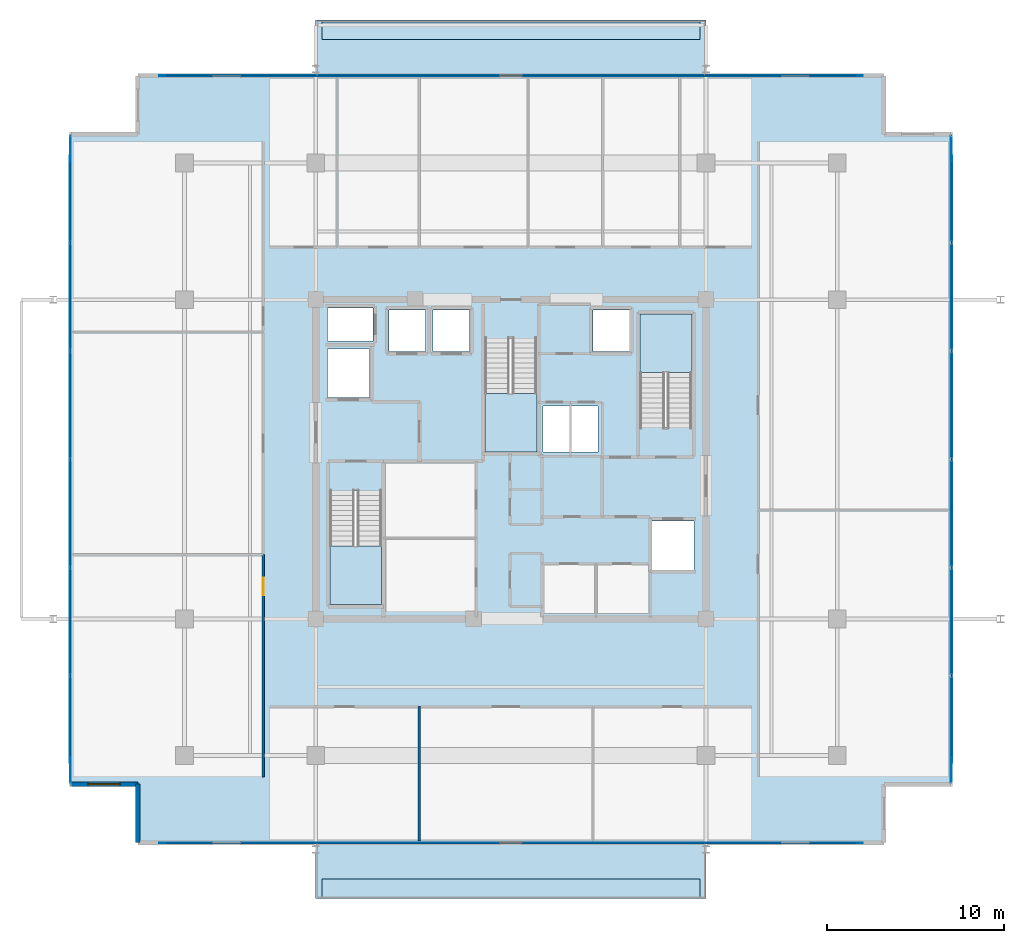
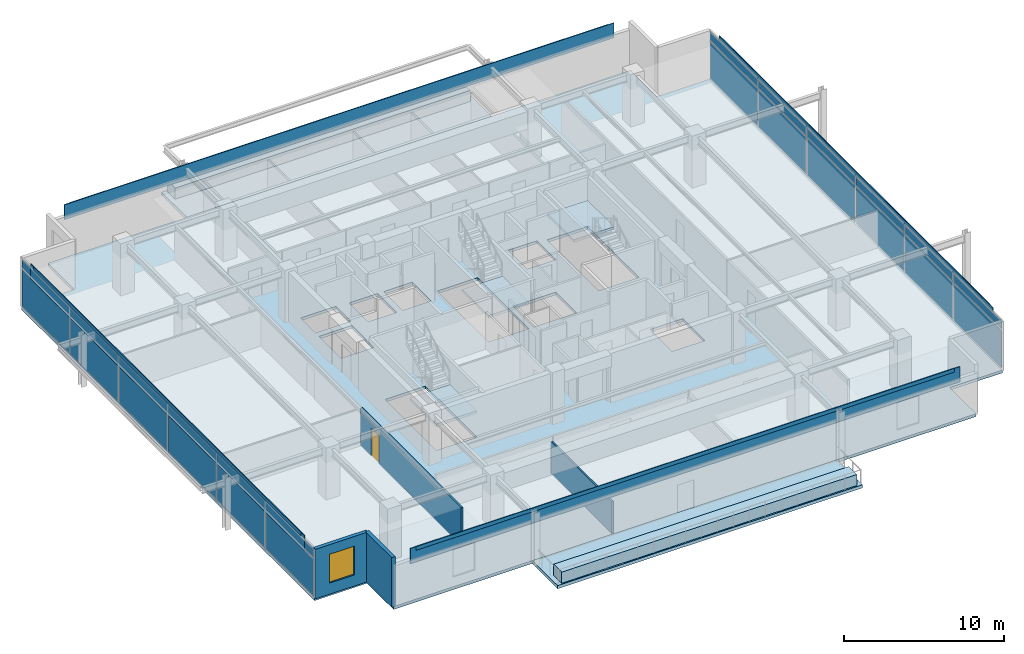
# One storey, part 13 of 21: 32 plates, 8 slabs, 4 walls, 1 door, 1 window, 2 openings, 5 elements without a shape of their own.
"""IFC4 building model written with IfcOpenShell, lengths in metres."""

from ifc_helpers import new_model, si_unit, direction, frame, frame_2d, origin, origin_2d, place, context, subcontext, project, spatial, polyline, rectangle, outline, extrude, material, layer, layer_set, type_object, element, fill, aggregate, save


model = new_model("IFC4")

# Units and contexts
model_context = context("Model", 3, precision=1e-05, world=origin(), true_north=direction((0.0, 1.0)))
body_context = subcontext(model_context, "Body", "Model", "MODEL_VIEW")
ifc_project = project(units=[si_unit("LENGTHUNIT", "METRE"), si_unit("AREAUNIT", "SQUARE_METRE"), si_unit("VOLUMEUNIT", "CUBIC_METRE"), si_unit("PLANEANGLEUNIT", "RADIAN"), si_unit("MASSUNIT", "GRAM", prefix="KILO")], contexts=[model_context])

# Site, building, storey
site_placement = place(None, origin())
site = spatial("IfcSite", under=ifc_project, at=site_placement, CompositionType="ELEMENT")
building_placement = place(site_placement, origin())
building = spatial("IfcBuilding", under=site, at=building_placement, Name="Kovane Verandah Tower", CompositionType="ELEMENT")
storey_placement = place(building_placement, frame((0.0, 0.0, 326.800048828125)))
storey = spatial("IfcBuildingStorey", under=building, at=storey_placement, Name="L76", CompositionType="ELEMENT", Elevation=326.800048828125)

# Curtain wall, plates
ifc_material_1 = material(Name="Champagne Anodised Aluminium Frame with Low-E Clear Laminated Glass", Category="aluminium")
curtain_wall_type = type_object("IfcCurtainWallType", Name="CW-SYS-05-HIGH", PredefinedType="NOTDEFINED", material=ifc_material_1)
curtain_wall_1_placement = place(storey_placement, origin())
curtain_wall_1 = element("IfcCurtainWall", 1, at=curtain_wall_1_placement, inside=storey, type_object=curtain_wall_type, Name="L76 E Unitised Curtain Wall", PredefinedType="NOTDEFINED")
ifc_material_2 = material(Name="Pale Champagne Anodised Aluminium Insulated Spandrel", Category="aluminium")
ifc_layer_1 = layer(ifc_material_2, 0.0400390625)
ifc_layer_set_1 = layer_set([ifc_layer_1], Name="Pale Champagne Anodised Aluminium Insulated Spandrel")
plate_type_1 = type_object("IfcPlateType", Name="PL-CW-SPD-40", PredefinedType="SHEET", material=ifc_layer_set_1)
plate_1_placement = place(storey_placement, frame((64.83154296875, 12.23681640625, 3.05517578125), z_axis=(0.0, 0.0, 1.0), x_axis=(0.0, 1.0, 0.0)))
plate_1 = element("IfcPlate", 2, at=plate_1_placement, type_object=plate_type_1, Name="L76 E Unitised Curtain Wall Spandrel Panel 1", PredefinedType="SHEET", context=body_context, shape_type="SweptSolid", body=[
    extrude(rectangle(XDim=5.965087890625, YDim=0.0400390625, at=origin_2d()), origin(), (0.0, 0.0, 1.0), 0.639892578125),
])
plate_2_placement = place(storey_placement, frame((64.83154296875, 18.34228515625, 3.05517578125), z_axis=(0.0, 0.0, 1.0), x_axis=(0.0, 1.0, 0.0)))
plate_2 = element("IfcPlate", 3, at=plate_2_placement, type_object=plate_type_1, Name="L76 E Unitised Curtain Wall Spandrel Panel 2", PredefinedType="SHEET", context=body_context, shape_type="SweptSolid", body=[
    extrude(rectangle(XDim=5.965087890625, YDim=0.0400390625, at=origin_2d()), origin(), (0.0, 0.0, 1.0), 0.639892578125),
])
plate_3_placement = place(storey_placement, frame((64.83154296875, 24.447509765625, 3.05517578125), z_axis=(0.0, 0.0, 1.0), x_axis=(0.0, 1.0, 0.0)))
plate_3 = element("IfcPlate", 4, at=plate_3_placement, type_object=plate_type_1, Name="L76 E Unitised Curtain Wall Spandrel Panel 3", PredefinedType="SHEET", context=body_context, shape_type="SweptSolid", body=[
    extrude(rectangle(XDim=5.965087890625, YDim=0.0400390625, at=origin_2d()), origin(), (0.0, 0.0, 1.0), 0.639892578125),
])
plate_4_placement = place(storey_placement, frame((64.83154296875, 30.552490234375, 3.05517578125), z_axis=(0.0, 0.0, 1.0), x_axis=(0.0, 1.0, 0.0)))
plate_4 = element("IfcPlate", 5, at=plate_4_placement, type_object=plate_type_1, Name="L76 E Unitised Curtain Wall Spandrel Panel 4", PredefinedType="SHEET", context=body_context, shape_type="SweptSolid", body=[
    extrude(rectangle(XDim=5.965087890625, YDim=0.0400390625, at=origin_2d()), origin(), (0.0, 0.0, 1.0), 0.639892578125),
])
plate_5_placement = place(storey_placement, frame((64.83154296875, 36.65771484375, 3.05517578125), z_axis=(0.0, 0.0, 1.0), x_axis=(0.0, 1.0, 0.0)))
plate_5 = element("IfcPlate", 6, at=plate_5_placement, type_object=plate_type_1, Name="L76 E Unitised Curtain Wall Spandrel Panel 5", PredefinedType="SHEET", context=body_context, shape_type="SweptSolid", body=[
    extrude(rectangle(XDim=5.965087890625, YDim=0.0400390625, at=origin_2d()), origin(), (0.0, 0.0, 1.0), 0.639892578125),
])
plate_6_placement = place(storey_placement, frame((64.83154296875, 42.76318359375, 3.05517578125), z_axis=(0.0, 0.0, 1.0), x_axis=(0.0, 1.0, 0.0)))
plate_6 = element("IfcPlate", 7, at=plate_6_placement, type_object=plate_type_1, Name="L76 E Unitised Curtain Wall Spandrel Panel 6", PredefinedType="SHEET", context=body_context, shape_type="SweptSolid", body=[
    extrude(rectangle(XDim=5.965087890625, YDim=0.0400390625, at=origin_2d()), origin(), (0.0, 0.0, 1.0), 0.639892578125),
])

curtain_wall_2_placement = place(storey_placement, origin())
curtain_wall_2 = element("IfcCurtainWall", 8, at=curtain_wall_2_placement, inside=storey, type_object=curtain_wall_type, Name="L76 W Unitised Curtain Wall", PredefinedType="NOTDEFINED")
plate_7_placement = place(storey_placement, frame((15.16845703125, 42.76318359375, 3.05517578125), z_axis=(0.0, 0.0, 1.0), x_axis=(0.0, -1.0, 0.0)))
plate_7 = element("IfcPlate", 9, at=plate_7_placement, type_object=plate_type_1, Name="L76 W Unitised Curtain Wall Spandrel Panel 1", PredefinedType="SHEET", context=body_context, shape_type="SweptSolid", body=[
    extrude(rectangle(XDim=5.965087890625, YDim=0.0400390625, at=origin_2d()), origin(), (0.0, 0.0, 1.0), 0.639892578125),
])
plate_8_placement = place(storey_placement, frame((15.16845703125, 36.65771484375, 3.05517578125), z_axis=(0.0, 0.0, 1.0), x_axis=(0.0, -1.0, 0.0)))
plate_8 = element("IfcPlate", 10, at=plate_8_placement, type_object=plate_type_1, Name="L76 W Unitised Curtain Wall Spandrel Panel 2", PredefinedType="SHEET", context=body_context, shape_type="SweptSolid", body=[
    extrude(rectangle(XDim=5.965087890625, YDim=0.0400390625, at=origin_2d()), origin(), (0.0, 0.0, 1.0), 0.639892578125),
])
plate_9_placement = place(storey_placement, frame((15.16845703125, 30.552490234375, 3.05517578125), z_axis=(0.0, 0.0, 1.0), x_axis=(0.0, -1.0, 0.0)))
plate_9 = element("IfcPlate", 11, at=plate_9_placement, type_object=plate_type_1, Name="L76 W Unitised Curtain Wall Spandrel Panel 3", PredefinedType="SHEET", context=body_context, shape_type="SweptSolid", body=[
    extrude(rectangle(XDim=5.965087890625, YDim=0.0400390625, at=origin_2d()), origin(), (0.0, 0.0, 1.0), 0.639892578125),
])
plate_10_placement = place(storey_placement, frame((15.16845703125, 24.447509765625, 3.05517578125), z_axis=(0.0, 0.0, 1.0), x_axis=(0.0, -1.0, 0.0)))
plate_10 = element("IfcPlate", 12, at=plate_10_placement, type_object=plate_type_1, Name="L76 W Unitised Curtain Wall Spandrel Panel 4", PredefinedType="SHEET", context=body_context, shape_type="SweptSolid", body=[
    extrude(rectangle(XDim=5.965087890625, YDim=0.0400390625, at=origin_2d()), origin(), (0.0, 0.0, 1.0), 0.639892578125),
])
plate_11_placement = place(storey_placement, frame((15.16845703125, 18.342041015625, 3.05517578125), z_axis=(0.0, 0.0, 1.0), x_axis=(0.0, -1.0, 0.0)))
plate_11 = element("IfcPlate", 13, at=plate_11_placement, type_object=plate_type_1, Name="L76 W Unitised Curtain Wall Spandrel Panel 5", PredefinedType="SHEET", context=body_context, shape_type="SweptSolid", body=[
    extrude(rectangle(XDim=5.965087890625, YDim=0.0400390625, at=origin_2d()), origin(), (0.0, 0.0, 1.0), 0.639892578125),
])
plate_12_placement = place(storey_placement, frame((15.16845703125, 12.23681640625, 3.05517578125), z_axis=(0.0, 0.0, 1.0), x_axis=(0.0, -1.0, 0.0)))
plate_12 = element("IfcPlate", 14, at=plate_12_placement, type_object=plate_type_1, Name="L76 W Unitised Curtain Wall Spandrel Panel 6", PredefinedType="SHEET", context=body_context, shape_type="SweptSolid", body=[
    extrude(rectangle(XDim=5.965087890625, YDim=0.0400390625, at=origin_2d()), origin(), (0.0, 0.0, 1.0), 0.639892578125),
])

# Plate
ifc_material_3 = material(Name="Clear Low-E Laminated Double Glazing", Category="glass")
ifc_layer_2 = layer(ifc_material_3, 0.031982421875)
ifc_layer_set_2 = layer_set([ifc_layer_2], Name="Clear Low-E Laminated Double Glazing")
plate_type_2 = type_object("IfcPlateType", Name="PL-CW-VIS-32", PredefinedType="CURTAIN_PANEL", material=ifc_layer_set_2)
plate_13_placement = place(storey_placement, frame((64.83154296875, 12.23681640625, 0.099853515625), z_axis=(0.0, 0.0, 1.0), x_axis=(0.0, 1.0, 0.0)))
plate_13 = element("IfcPlate", 15, at=plate_13_placement, type_object=plate_type_2, Name="L76 E Unitised Curtain Wall Vision Panel 1", PredefinedType="CURTAIN_PANEL", context=body_context, shape_type="SweptSolid", body=[
    extrude(rectangle(XDim=5.965087890625, YDim=0.031982421875, at=origin_2d()), origin(), (0.0, 0.0, 1.0), 2.85498046875),
])

plate_14_placement = place(storey_placement, frame((64.83154296875, 18.34228515625, 0.099853515625), z_axis=(0.0, 0.0, 1.0), x_axis=(0.0, 1.0, 0.0)))
plate_14 = element("IfcPlate", 16, at=plate_14_placement, type_object=plate_type_2, Name="L76 E Unitised Curtain Wall Vision Panel 2", PredefinedType="CURTAIN_PANEL", context=body_context, shape_type="SweptSolid", body=[
    extrude(rectangle(XDim=5.965087890625, YDim=0.031982421875, at=origin_2d()), origin(), (0.0, 0.0, 1.0), 2.85498046875),
])

plate_15_placement = place(storey_placement, frame((64.83154296875, 24.447509765625, 0.099853515625), z_axis=(0.0, 0.0, 1.0), x_axis=(0.0, 1.0, 0.0)))
plate_15 = element("IfcPlate", 17, at=plate_15_placement, type_object=plate_type_2, Name="L76 E Unitised Curtain Wall Vision Panel 3", PredefinedType="CURTAIN_PANEL", context=body_context, shape_type="SweptSolid", body=[
    extrude(rectangle(XDim=5.965087890625, YDim=0.031982421875, at=origin_2d()), origin(), (0.0, 0.0, 1.0), 2.85498046875),
])

plate_16_placement = place(storey_placement, frame((64.83154296875, 30.552490234375, 0.099853515625), z_axis=(0.0, 0.0, 1.0), x_axis=(0.0, 1.0, 0.0)))
plate_16 = element("IfcPlate", 18, at=plate_16_placement, type_object=plate_type_2, Name="L76 E Unitised Curtain Wall Vision Panel 4", PredefinedType="CURTAIN_PANEL", context=body_context, shape_type="SweptSolid", body=[
    extrude(rectangle(XDim=5.965087890625, YDim=0.031982421875, at=origin_2d()), origin(), (0.0, 0.0, 1.0), 2.85498046875),
])

plate_17_placement = place(storey_placement, frame((64.83154296875, 36.65771484375, 0.099853515625), z_axis=(0.0, 0.0, 1.0), x_axis=(0.0, 1.0, 0.0)))
plate_17 = element("IfcPlate", 19, at=plate_17_placement, type_object=plate_type_2, Name="L76 E Unitised Curtain Wall Vision Panel 5", PredefinedType="CURTAIN_PANEL", context=body_context, shape_type="SweptSolid", body=[
    extrude(rectangle(XDim=5.965087890625, YDim=0.031982421875, at=origin_2d()), origin(), (0.0, 0.0, 1.0), 2.85498046875),
])

plate_18_placement = place(storey_placement, frame((64.83154296875, 42.76318359375, 0.099853515625), z_axis=(0.0, 0.0, 1.0), x_axis=(0.0, 1.0, 0.0)))
plate_18 = element("IfcPlate", 20, at=plate_18_placement, type_object=plate_type_2, Name="L76 E Unitised Curtain Wall Vision Panel 6", PredefinedType="CURTAIN_PANEL", context=body_context, shape_type="SweptSolid", body=[
    extrude(rectangle(XDim=5.965087890625, YDim=0.031982421875, at=origin_2d()), origin(), (0.0, 0.0, 1.0), 2.85498046875),
])

aggregate(curtain_wall_1, [plate_13, plate_1, plate_14, plate_2, plate_15, plate_3, plate_16, plate_4, plate_17, plate_5, plate_18, plate_6])

plate_19_placement = place(storey_placement, frame((15.16845703125, 42.76318359375, 0.099853515625), z_axis=(0.0, 0.0, 1.0), x_axis=(0.0, -1.0, 0.0)))
plate_19 = element("IfcPlate", 21, at=plate_19_placement, type_object=plate_type_2, Name="L76 W Unitised Curtain Wall Vision Panel 1", PredefinedType="CURTAIN_PANEL", context=body_context, shape_type="SweptSolid", body=[
    extrude(rectangle(XDim=5.965087890625, YDim=0.031982421875, at=origin_2d()), origin(), (0.0, 0.0, 1.0), 2.85498046875),
])

plate_20_placement = place(storey_placement, frame((15.16845703125, 36.65771484375, 0.099853515625), z_axis=(0.0, 0.0, 1.0), x_axis=(0.0, -1.0, 0.0)))
plate_20 = element("IfcPlate", 22, at=plate_20_placement, type_object=plate_type_2, Name="L76 W Unitised Curtain Wall Vision Panel 2", PredefinedType="CURTAIN_PANEL", context=body_context, shape_type="SweptSolid", body=[
    extrude(rectangle(XDim=5.965087890625, YDim=0.031982421875, at=origin_2d()), origin(), (0.0, 0.0, 1.0), 2.85498046875),
])

plate_21_placement = place(storey_placement, frame((15.16845703125, 30.552490234375, 0.099853515625), z_axis=(0.0, 0.0, 1.0), x_axis=(0.0, -1.0, 0.0)))
plate_21 = element("IfcPlate", 23, at=plate_21_placement, type_object=plate_type_2, Name="L76 W Unitised Curtain Wall Vision Panel 3", PredefinedType="CURTAIN_PANEL", context=body_context, shape_type="SweptSolid", body=[
    extrude(rectangle(XDim=5.965087890625, YDim=0.031982421875, at=origin_2d()), origin(), (0.0, 0.0, 1.0), 2.85498046875),
])

plate_22_placement = place(storey_placement, frame((15.16845703125, 24.447509765625, 0.099853515625), z_axis=(0.0, 0.0, 1.0), x_axis=(0.0, -1.0, 0.0)))
plate_22 = element("IfcPlate", 24, at=plate_22_placement, type_object=plate_type_2, Name="L76 W Unitised Curtain Wall Vision Panel 4", PredefinedType="CURTAIN_PANEL", context=body_context, shape_type="SweptSolid", body=[
    extrude(rectangle(XDim=5.965087890625, YDim=0.031982421875, at=origin_2d()), origin(), (0.0, 0.0, 1.0), 2.85498046875),
])

plate_23_placement = place(storey_placement, frame((15.16845703125, 18.342041015625, 0.099853515625), z_axis=(0.0, 0.0, 1.0), x_axis=(0.0, -1.0, 0.0)))
plate_23 = element("IfcPlate", 25, at=plate_23_placement, type_object=plate_type_2, Name="L76 W Unitised Curtain Wall Vision Panel 5", PredefinedType="CURTAIN_PANEL", context=body_context, shape_type="SweptSolid", body=[
    extrude(rectangle(XDim=5.965087890625, YDim=0.031982421875, at=origin_2d()), origin(), (0.0, 0.0, 1.0), 2.85498046875),
])

plate_24_placement = place(storey_placement, frame((15.16845703125, 12.23681640625, 0.099853515625), z_axis=(0.0, 0.0, 1.0), x_axis=(0.0, -1.0, 0.0)))
plate_24 = element("IfcPlate", 26, at=plate_24_placement, type_object=plate_type_2, Name="L76 W Unitised Curtain Wall Vision Panel 6", PredefinedType="CURTAIN_PANEL", context=body_context, shape_type="SweptSolid", body=[
    extrude(rectangle(XDim=5.965087890625, YDim=0.031982421875, at=origin_2d()), origin(), (0.0, 0.0, 1.0), 2.85498046875),
])

aggregate(curtain_wall_2, [plate_19, plate_7, plate_20, plate_8, plate_21, plate_9, plate_22, plate_10, plate_23, plate_11, plate_24, plate_12])

# Plates
ifc_material_4 = material(Name="Perforated Pale Champagne Anodised Aluminium Solar Screen", Category="aluminium")
ifc_layer_3 = layer(ifc_material_4, 0.050048828125)
ifc_layer_set_3 = layer_set([ifc_layer_3], Name="Perforated Pale Champagne Anodised Aluminium Solar Screen")
plate_type_3 = type_object("IfcPlateType", Name="PL-SCREEN-50", PredefinedType="USERDEFINED", material=ifc_layer_set_3)
plate_25_placement = place(storey_placement, frame((40.0, 5.869384765625, 2.885009765625), z_axis=(0.0, 0.0, 1.0), x_axis=(1.0, 0.0, 0.0)))
element("IfcPlate", 27, at=plate_25_placement, inside=storey, type_object=plate_type_3, Name="L76 S Perforated Champagne-Gold Solar Screen", ObjectType="SCREEN", PredefinedType="USERDEFINED", context=body_context, shape_type="SweptSolid", body=[
    extrude(rectangle(XDim=39.6630859375, YDim=0.050048828125, at=origin_2d()), origin(), (0.0, 0.0, 1.0), 1.14990234375),
])
plate_26_placement = place(storey_placement, frame((64.846435546875, 27.5, 2.885009765625), z_axis=(0.0, 0.0, 1.0), x_axis=(0.0, 1.0, 0.0)))
element("IfcPlate", 28, at=plate_26_placement, inside=storey, type_object=plate_type_3, Name="L76 E Perforated Champagne-Gold Solar Screen", ObjectType="SCREEN", PredefinedType="USERDEFINED", context=body_context, shape_type="SweptSolid", body=[
    extrude(rectangle(XDim=34.23095703125, YDim=0.050048828125, at=origin_2d()), origin(), (0.0, 0.0, 1.0), 1.14990234375),
])
plate_27_placement = place(storey_placement, frame((40.0, 49.130615234375, 2.885009765625), z_axis=(0.0, 0.0, 1.0), x_axis=(-1.0, 0.0, 0.0)))
element("IfcPlate", 29, at=plate_27_placement, inside=storey, type_object=plate_type_3, Name="L76 N Perforated Champagne-Gold Solar Screen", ObjectType="SCREEN", PredefinedType="USERDEFINED", context=body_context, shape_type="SweptSolid", body=[
    extrude(rectangle(XDim=39.6630859375, YDim=0.050048828125, at=origin_2d()), origin(), (0.0, 0.0, 1.0), 1.14990234375),
])
plate_28_placement = place(storey_placement, frame((15.153564453125, 27.5, 2.885009765625), z_axis=(0.0, 0.0, 1.0), x_axis=(0.0, -1.0, 0.0)))
element("IfcPlate", 30, at=plate_28_placement, inside=storey, type_object=plate_type_3, Name="L76 W Perforated Champagne-Gold Solar Screen", ObjectType="SCREEN", PredefinedType="USERDEFINED", context=body_context, shape_type="SweptSolid", body=[
    extrude(rectangle(XDim=34.23095703125, YDim=0.050048828125, at=origin_2d()), origin(), (0.0, 0.0, 1.0), 1.14990234375),
])
ifc_material_5 = material(Name="Extruded Pale-Bronze Aluminium Aerofoil Sunshade", Category="aluminium")
ifc_layer_4 = layer(ifc_material_5, 0.06005859375)
ifc_layer_set_4 = layer_set([ifc_layer_4], Name="Extruded Pale-Bronze Aluminium Aerofoil Sunshade")
plate_type_4 = type_object("IfcPlateType", Name="PL-SUNSHADE-60", PredefinedType="USERDEFINED", material=ifc_layer_set_4)
plate_29_placement = place(storey_placement, frame((40.0, 5.8642578125, 3.76513671875), z_axis=(0.0, 0.0, 1.0), x_axis=(1.0, 0.0, 0.0)))
element("IfcPlate", 31, at=plate_29_placement, inside=storey, type_object=plate_type_4, Name="L76 S Subtropical Aerofoil Sunshade", ObjectType="SUNSHADE", PredefinedType="USERDEFINED", context=body_context, shape_type="SweptSolid", body=[
    extrude(rectangle(XDim=38.863037109375, YDim=0.06005859375, at=origin_2d()), origin(), (0.0, 0.0, 1.0), 0.280029296875),
])
plate_30_placement = place(storey_placement, frame((64.8515625, 27.5, 3.76513671875), z_axis=(0.0, 0.0, 1.0), x_axis=(0.0, 1.0, 0.0)))
element("IfcPlate", 32, at=plate_30_placement, inside=storey, type_object=plate_type_4, Name="L76 E Subtropical Aerofoil Sunshade", ObjectType="SUNSHADE", PredefinedType="USERDEFINED", context=body_context, shape_type="SweptSolid", body=[
    extrude(rectangle(XDim=33.430908203125, YDim=0.06005859375, at=origin_2d()), origin(), (0.0, 0.0, 1.0), 0.280029296875),
])
plate_31_placement = place(storey_placement, frame((40.0, 49.1357421875, 3.76513671875), z_axis=(0.0, 0.0, 1.0), x_axis=(-1.0, 0.0, 0.0)))
element("IfcPlate", 33, at=plate_31_placement, inside=storey, type_object=plate_type_4, Name="L76 N Subtropical Aerofoil Sunshade", ObjectType="SUNSHADE", PredefinedType="USERDEFINED", context=body_context, shape_type="SweptSolid", body=[
    extrude(rectangle(XDim=38.863037109375, YDim=0.06005859375, at=origin_2d()), origin(), (0.0, 0.0, 1.0), 0.280029296875),
])
plate_32_placement = place(storey_placement, frame((15.1484375, 27.5, 3.76513671875), z_axis=(0.0, 0.0, 1.0), x_axis=(0.0, -1.0, 0.0)))
element("IfcPlate", 34, at=plate_32_placement, inside=storey, type_object=plate_type_4, Name="L76 W Subtropical Aerofoil Sunshade", ObjectType="SUNSHADE", PredefinedType="USERDEFINED", context=body_context, shape_type="SweptSolid", body=[
    extrude(rectangle(XDim=33.430908203125, YDim=0.06005859375, at=origin_2d()), origin(), (0.0, 0.0, 1.0), 0.280029296875),
])

# Slabs
ifc_material_6 = material(Name="Concrete C45/55", Category="concrete")
ifc_layer_5 = layer(ifc_material_6, 0.239990234375)
ifc_layer_set_5 = layer_set([ifc_layer_5], Name="Concrete C45/55")
slab_type_1 = type_object("IfcSlabType", Name="SL-BALC-240", PredefinedType="FLOOR", material=ifc_layer_set_5)
slab_1_placement = place(storey_placement, frame((0.0, 0.0, -0.239990234375)))
element("IfcSlab", 35, at=slab_1_placement, inside=storey, type_object=slab_type_1, Name="L76 N Planted Verandah Balcony Slab", PredefinedType="FLOOR", context=body_context, shape_type="SweptSolid", body=[
    extrude(outline(polyline([(29.0, 49.11572265625), (51.0, 49.11572265625), (51.0, 52.265625), (29.0, 52.265625), (29.0, 49.11572265625)])), origin(), (0.0, 0.0, 1.0), 0.239990234375),
])
slab_2_placement = place(storey_placement, frame((0.0, 0.0, -0.239990234375)))
element("IfcSlab", 36, at=slab_2_placement, inside=storey, type_object=slab_type_1, Name="L76 S Planted Verandah Balcony Slab", PredefinedType="FLOOR", context=body_context, shape_type="SweptSolid", body=[
    extrude(outline(polyline([(29.0, 2.734375), (51.0, 2.734375), (51.0, 5.88427734375), (29.0, 5.88427734375), (29.0, 2.734375)])), origin(), (0.0, 0.0, 1.0), 0.239990234375),
])
ifc_layer_6 = layer(ifc_material_6, 0.215087890625)
ifc_layer_set_6 = layer_set([ifc_layer_6], Name="Concrete C45/55")
slab_type_2 = type_object("IfcSlabType", Name="SL-HIGH-215", PredefinedType="FLOOR", material=ifc_layer_set_6)
slab_3_placement = place(storey_placement, frame((0.0, 0.0, -0.215087890625)))
element("IfcSlab", 37, at=slab_3_placement, inside=storey, type_object=slab_type_2, Name="L76 Structural Floor Slab", PredefinedType="FLOOR", context=body_context, shape_type="SweptSolid", body=[
    extrude(outline(polyline([(18.968505859375, 5.88427734375), (61.031494140625, 5.88427734375), (61.031494140625, 9.184326171875), (64.83154296875, 9.184326171875), (64.83154296875, 45.815673828125), (61.031494140625, 45.815673828125), (61.031494140625, 49.11572265625), (18.968505859375, 49.11572265625), (18.968505859375, 45.815673828125), (15.16845703125, 45.815673828125), (15.16845703125, 9.184326171875), (18.968505859375, 9.184326171875), (18.968505859375, 5.88427734375)]), holes=[polyline([(29.800048828125, 19.300048828125), (32.719970703125, 19.300048828125), (32.719970703125, 25.705078125), (29.800048828125, 25.705078125), (29.800048828125, 19.300048828125)]), polyline([(47.280029296875, 29.294921875), (50.199951171875, 29.294921875), (50.199951171875, 35.699951171875), (47.280029296875, 35.699951171875), (47.280029296875, 29.294921875)]), polyline([(38.5400390625, 27.89990234375), (41.4599609375, 27.89990234375), (41.4599609375, 34.304931640625), (38.5400390625, 34.304931640625), (38.5400390625, 27.89990234375)]), polyline([(29.669921875, 30.969970703125), (32.030029296875, 30.969970703125), (32.030029296875, 33.72998046875), (29.669921875, 33.72998046875), (29.669921875, 30.969970703125)]), polyline([(47.969970703125, 21.27001953125), (50.330078125, 21.27001953125), (50.330078125, 24.030029296875), (47.969970703125, 24.030029296875), (47.969970703125, 21.27001953125)]), polyline([(29.669921875, 34.169921875), (32.22998046875, 34.169921875), (32.22998046875, 36.030029296875), (29.669921875, 36.030029296875), (29.669921875, 34.169921875)]), polyline([(33.1201171875, 33.570068359375), (35.179931640625, 33.570068359375), (35.179931640625, 35.929931640625), (33.1201171875, 35.929931640625), (33.1201171875, 33.570068359375)]), polyline([(35.6201171875, 33.570068359375), (37.679931640625, 33.570068359375), (37.679931640625, 35.929931640625), (35.6201171875, 35.929931640625), (35.6201171875, 33.570068359375)]), polyline([(44.6201171875, 33.570068359375), (46.679931640625, 33.570068359375), (46.679931640625, 35.929931640625), (44.6201171875, 35.929931640625), (44.6201171875, 33.570068359375)]), polyline([(41.800048828125, 27.89990234375), (44.89990234375, 27.89990234375), (44.89990234375, 30.5), (41.800048828125, 30.5), (41.800048828125, 27.89990234375)])]), origin(), (0.0, 0.0, 1.0), 0.215087890625),
])

# Stair, slab
stair_type = type_object("IfcStairType", Name="ST-CORE-1380", PredefinedType="HALF_TURN_STAIR", material=ifc_material_6)
stair_1_placement = place(storey_placement, origin())
stair_1 = element("IfcStair", 38, at=stair_1_placement, inside=storey, type_object=stair_type, Name="L76 Exit Stair ST-01", PredefinedType="HALF_TURN_STAIR")
ifc_layer_7 = layer(ifc_material_6, 0.199951171875)
ifc_layer_set_7 = layer_set([ifc_layer_7], Name="Concrete C45/55")
slab_type_3 = type_object("IfcSlabType", Name="SL-LAND-200", PredefinedType="LANDING", material=ifc_layer_set_7)
slab_4_placement = place(storey_placement, frame((0.0, 0.0, 1.800048828125)))
slab_4 = element("IfcSlab", 39, at=slab_4_placement, type_object=slab_type_3, Name="ST-01 landing 1", PredefinedType="LANDING", context=body_context, shape_type="SweptSolid", body=[
    extrude(outline(polyline([(29.800048828125, 22.614990234375), (29.800048828125, 19.300048828125), (32.719970703125, 19.300048828125), (32.719970703125, 22.614990234375), (29.800048828125, 22.614990234375)])), origin(), (0.0, 0.0, 1.0), 0.199951171875),
])
aggregate(stair_1, [slab_4])

stair_2_placement = place(storey_placement, origin())
stair_2 = element("IfcStair", 40, at=stair_2_placement, inside=storey, type_object=stair_type, Name="L76 Exit Stair ST-02", PredefinedType="HALF_TURN_STAIR")
slab_5_placement = place(storey_placement, frame((0.0, 0.0, 1.800048828125)))
slab_5 = element("IfcSlab", 41, at=slab_5_placement, type_object=slab_type_3, Name="ST-02 landing 1", PredefinedType="LANDING", context=body_context, shape_type="SweptSolid", body=[
    extrude(outline(polyline([(50.199951171875, 32.385009765625), (50.199951171875, 35.699951171875), (47.280029296875, 35.699951171875), (47.280029296875, 32.385009765625), (50.199951171875, 32.385009765625)])), origin(), (0.0, 0.0, 1.0), 0.199951171875),
])
aggregate(stair_2, [slab_5])

stair_3_placement = place(storey_placement, origin())
stair_3 = element("IfcStair", 42, at=stair_3_placement, inside=storey, type_object=stair_type, Name="L76 Exit Stair ST-03", PredefinedType="HALF_TURN_STAIR")
slab_6_placement = place(storey_placement, frame((0.0, 0.0, 1.800048828125)))
slab_6 = element("IfcSlab", 43, at=slab_6_placement, type_object=slab_type_3, Name="ST-03 landing 1", PredefinedType="LANDING", context=body_context, shape_type="SweptSolid", body=[
    extrude(outline(polyline([(38.5400390625, 31.215087890625), (38.5400390625, 27.89990234375), (41.4599609375, 27.89990234375), (41.4599609375, 31.215087890625), (38.5400390625, 31.215087890625)])), origin(), (0.0, 0.0, 1.0), 0.199951171875),
])
aggregate(stair_3, [slab_6])

# Slabs
ifc_material_7 = material(Name="Architectural Precast Concrete C45/55 Planter Trough", Category="concrete")
ifc_layer_8 = layer(ifc_material_7, 0.219970703125)
ifc_layer_set_8 = layer_set([ifc_layer_8], Name="Architectural Precast Concrete C45/55 Planter Trough")
slab_type_4 = type_object("IfcSlabType", Name="SL-PLANTER-220", PredefinedType="USERDEFINED", material=ifc_layer_set_8)
slab_7_placement = place(storey_placement, origin())
element("IfcSlab", 44, at=slab_7_placement, inside=storey, type_object=slab_type_4, Name="L76 N Structural Tree Planter", ObjectType="PLANTER", PredefinedType="USERDEFINED", context=body_context, shape_type="SweptSolid", body=[
    extrude(outline(polyline([(29.35009765625, 51.165771484375), (50.64990234375, 51.165771484375), (50.64990234375, 52.165771484375), (29.35009765625, 52.165771484375), (29.35009765625, 51.165771484375)])), origin(), (0.0, 0.0, 1.0), 0.849853515625),
])
slab_8_placement = place(storey_placement, origin())
element("IfcSlab", 45, at=slab_8_placement, inside=storey, type_object=slab_type_4, Name="L76 S Structural Tree Planter", ObjectType="PLANTER", PredefinedType="USERDEFINED", context=body_context, shape_type="SweptSolid", body=[
    extrude(outline(polyline([(29.35009765625, 2.834228515625), (50.64990234375, 2.834228515625), (50.64990234375, 3.834228515625), (29.35009765625, 3.834228515625), (29.35009765625, 2.834228515625)])), origin(), (0.0, 0.0, 1.0), 0.849853515625),
])

# Wall, opening, door
ifc_material_8 = material(Name="Fire-Rated Gypsum Stud Partition", Category="gypsum")
ifc_layer_9 = layer(ifc_material_8, 0.14990234375)
ifc_layer_set_9 = layer_set([ifc_layer_9], Name="Fire-Rated Gypsum Stud Partition")
wall_type_1 = type_object("IfcWallType", Name="WL-COR-150", PredefinedType="PARTITIONING", material=ifc_layer_set_9)
wall_1_placement = place(storey_placement, frame((26.050048828125, 9.584228515625, 0.0), z_axis=(0.0, 0.0, 1.0), x_axis=(0.0, 1.0, 0.0)))
wall_1 = element("IfcWall", 46, at=wall_1_placement, inside=storey, type_object=wall_type_1, Name="L76 Focus Studio W1 Corridor Partition", PredefinedType="PARTITIONING", context=body_context, shape_type="SweptSolid", body=[
    extrude(rectangle(XDim=12.541015625, YDim=0.14990234375, at=frame_2d((6.2705078125, 0.0))), origin(), (0.0, 0.0, 1.0), 2.849853515625),
])
opening_1_placement = place(wall_1_placement, frame((10.243408203125, 0.0, 0.0)))
opening_1 = element("IfcOpeningElement", 47, at=opening_1_placement, cuts=wall_1, Name="Opening DR-L76-033", PredefinedType="OPENING", context=body_context, shape_type="SweptSolid", body=[
    extrude(rectangle(XDim=1.0, YDim=2.14990234375, at=frame_2d((0.5, 1.074951171875))), frame((0.0, 0.074951171875, 0.0), z_axis=(0.0, -1.0, 0.0), x_axis=(1.0, 0.0, 0.0)), (0.0, 0.0, 1.0), 0.14990234375),
])
ifc_material_9 = material(Name="FSC Spotted-Gum Timber Fire-Rated Office Door", Category="wood")
door_type = type_object("IfcDoorType", Name="DR-OFF-1000", OperationType="SINGLE_SWING_LEFT", PredefinedType="DOOR", material=ifc_material_9)
door_placement = place(opening_1_placement, origin())
door = element("IfcDoor", 48, at=door_placement, inside=storey, type_object=door_type, Name="L76 Focus Studio W1 Entrance Door", OperationType="SINGLE_SWING_RIGHT", OverallHeight=2.14990234375, OverallWidth=1.0, PredefinedType="DOOR", context=body_context, shape_type="SweptSolid", body=[
    extrude(rectangle(XDim=1.0, YDim=2.14990234375, at=frame_2d((0.5, 1.074951171875))), frame((0.0, 0.02490234375, 0.0), z_axis=(0.0, -1.0, 0.0), x_axis=(1.0, 0.0, 0.0)), (0.0, 0.0, 1.0), 0.050048828125),
])
fill(opening_1, door)

# Wall
ifc_material_10 = material(Name="Acoustic Fire-Rated Gypsum Partition", Category="gypsum")
ifc_layer_10 = layer(ifc_material_10, 0.1201171875)
ifc_layer_set_10 = layer_set([ifc_layer_10], Name="Acoustic Fire-Rated Gypsum Partition")
wall_type_2 = type_object("IfcWallType", Name="WL-PART-120", PredefinedType="PARTITIONING", material=ifc_layer_set_10)
wall_2_placement = place(storey_placement, frame((34.83203125, 5.984375, 0.0), z_axis=(0.0, 0.0, 1.0), x_axis=(0.0, 1.0, 0.0)))
element("IfcWall", 49, at=wall_2_placement, inside=storey, type_object=wall_type_2, Name="L76 Executive Office S1 Dividing Partition", PredefinedType="PARTITIONING", context=body_context, shape_type="SweptSolid", body=[
    extrude(rectangle(XDim=7.565673828125, YDim=0.1201171875, at=frame_2d((3.78271484375, 0.0))), origin(), (0.0, 0.0, 1.0), 2.4150390625),
])

# Wall, opening, window
ifc_material_11 = material(Name="Concrete C45/55 Insulated Spandrel Wall", Category="concrete")
ifc_layer_11 = layer(ifc_material_11, 0.260009765625)
ifc_layer_set_11 = layer_set([ifc_layer_11], Name="Concrete C45/55 Insulated Spandrel Wall")
wall_type_3 = type_object("IfcWallType", Name="WL-SPANDREL-260", PredefinedType="PARAPET", material=ifc_layer_set_11)
wall_3_placement = place(storey_placement, frame((15.16845703125, 9.184326171875, 0.0), z_axis=(0.0, 0.0, 1.0), x_axis=(1.0, 0.0, 0.0)))
wall_3 = element("IfcWall", 50, at=wall_3_placement, inside=storey, type_object=wall_type_3, Name="L76 SW Notch Cheek Wall 1", PredefinedType="PARAPET", context=body_context, shape_type="SweptSolid", body=[
    extrude(rectangle(XDim=3.800048828125, YDim=0.260009765625, at=frame_2d((1.89990234375, 0.0))), origin(), (0.0, 0.0, 1.0), 3.784912109375),
])
opening_2_placement = place(wall_3_placement, frame((1.0, 0.0, 0.85009765625)))
opening_2 = element("IfcOpeningElement", 51, at=opening_2_placement, cuts=wall_3, Name="Opening W-03", PredefinedType="OPENING", context=body_context, shape_type="SweptSolid", body=[
    extrude(rectangle(XDim=1.800048828125, YDim=2.199951171875, at=frame_2d((0.89990234375, 1.10009765625))), frame((0.0, 0.1298828125, 0.0), z_axis=(0.0, -1.0, 0.0), x_axis=(1.0, 0.0, 0.0)), (0.0, 0.0, 1.0), 0.260009765625),
])
ifc_material_12 = material(Name="Clear Low-E Laminated Double Glazing in Anodised Frame", Category="glass")
window_type = type_object("IfcWindowType", Name="WN-NOTCH-1800x2200", PartitioningType="SINGLE_PANEL", PredefinedType="WINDOW", material=ifc_material_12)
window_placement = place(opening_2_placement, origin())
window = element("IfcWindow", 52, at=window_placement, inside=storey, type_object=window_type, Name="L76 SW Re-Entrant Corner Operable Window", OverallHeight=2.199951171875, OverallWidth=1.800048828125, PartitioningType="SINGLE_PANEL", PredefinedType="WINDOW", context=body_context, shape_type="SweptSolid", body=[
    extrude(rectangle(XDim=1.800048828125, YDim=2.199951171875, at=frame_2d((0.89990234375, 1.10009765625))), frame((0.0, 0.030029296875, 0.0), z_axis=(0.0, -1.0, 0.0), x_axis=(1.0, 0.0, 0.0)), (0.0, 0.0, 1.0), 0.06005859375),
])
fill(opening_2, window)

# Wall
wall_4_placement = place(storey_placement, frame((18.968505859375, 9.184326171875, 0.0), z_axis=(0.0, 0.0, 1.0), x_axis=(0.0, -1.0, 0.0)))
element("IfcWall", 53, at=wall_4_placement, inside=storey, type_object=wall_type_3, Name="L76 SW Notch Cheek Wall 2", PredefinedType="PARAPET", context=body_context, shape_type="SweptSolid", body=[
    extrude(rectangle(XDim=3.300048828125, YDim=0.260009765625, at=frame_2d((1.64990234375, 0.0))), origin(), (0.0, 0.0, 1.0), 3.784912109375),
])

save(model, "model.ifc")
